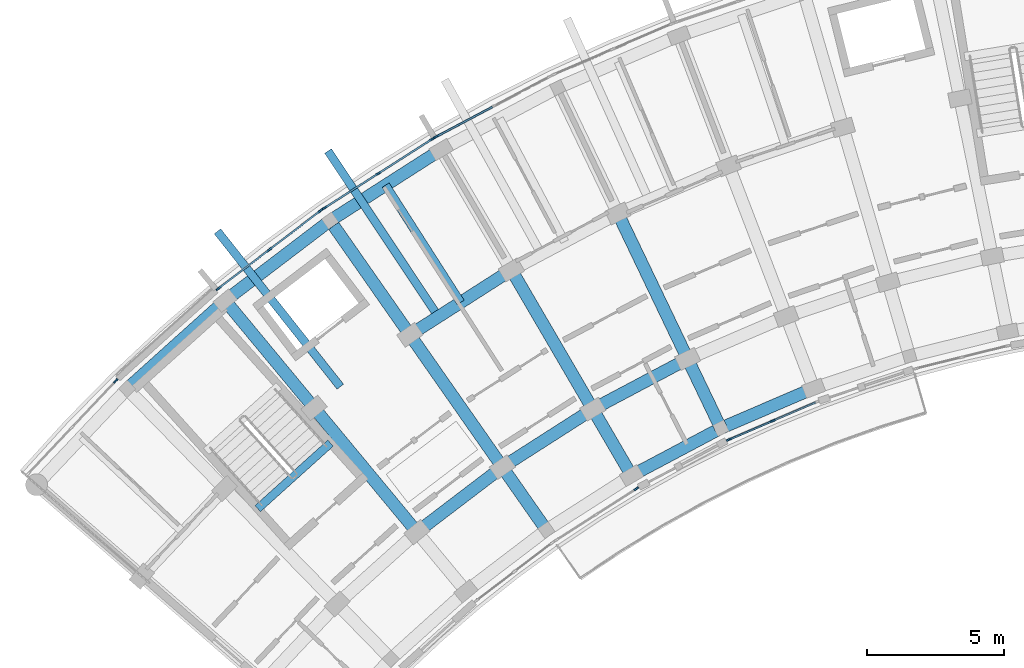
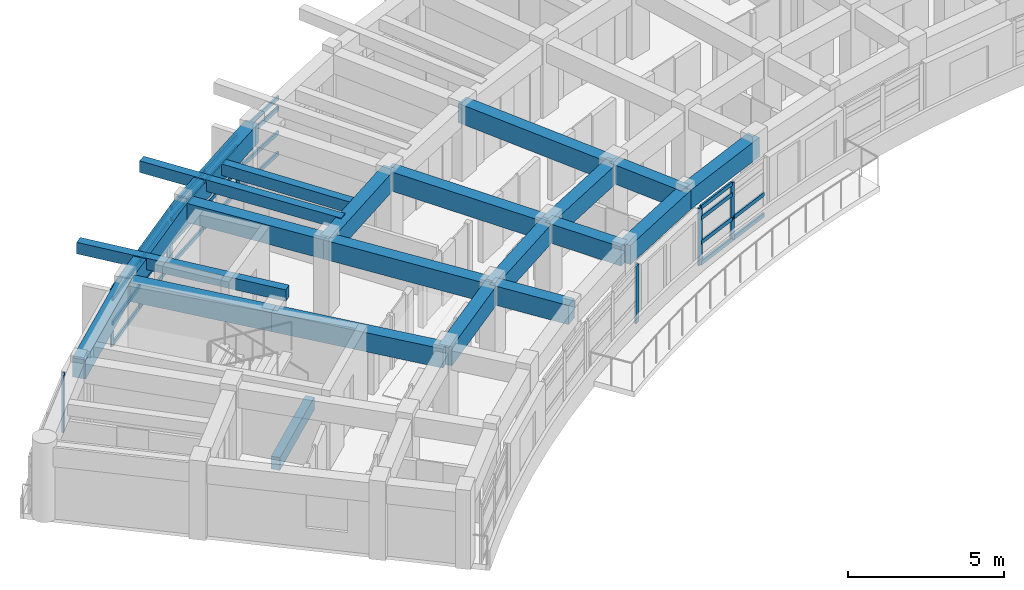
# One storey, part 4 of 56: 37 members, 22 beams, 6 elements without a shape of their own.
"""IFC4 building model written with IfcOpenShell, lengths in metres."""

from ifc_helpers import new_model, si_unit, direction, frame, origin, origin_2d, place, context, subcontext, project, spatial, rectangle, extrude, material, material_profile, profile_set, type_object, element, aggregate, save


model = new_model("IFC4")

# Units and contexts
model_context = context("Model", 3, precision=1e-05, world=origin(), true_north=direction((0.0, 1.0)))
body_context = subcontext(model_context, "Body", "Model", "MODEL_VIEW")
ifc_project = project(units=[si_unit("LENGTHUNIT", "METRE"), si_unit("AREAUNIT", "SQUARE_METRE"), si_unit("VOLUMEUNIT", "CUBIC_METRE"), si_unit("PLANEANGLEUNIT", "RADIAN"), si_unit("MASSUNIT", "GRAM", prefix="KILO")], contexts=[model_context])

# Site, building, storey
site_placement = place(None, origin())
site = spatial("IfcSite", under=ifc_project, at=site_placement, CompositionType="ELEMENT")
building_placement = place(site_placement, origin())
building = spatial("IfcBuilding", under=site, at=building_placement, Name="Zimvara Arc Housing Community", CompositionType="ELEMENT")
storey_placement = place(building_placement, frame((0.0, 0.0, 11.199951171875)))
storey = spatial("IfcBuildingStorey", under=building, at=storey_placement, Name="L03", CompositionType="ELEMENT", Elevation=11.199951171875)

# Beams
ifc_material_1 = material(Name="Concrete C40/50", Category="concrete")
ifc_material_profile_1 = material_profile(ifc_material_1, rectangle(XDim=0.300048828125, YDim=0.449951171875, at=origin_2d()), Name="RC 300x450")
ifc_profile_set_1 = profile_set([ifc_material_profile_1], Name="Concrete C40/50")
beam_type_1 = type_object("IfcBeamType", Name="BM-RC-300x450", PredefinedType="JOIST", material=ifc_profile_set_1)
beam_1_placement = place(storey_placement, frame((16.0224609375, 89.776123046875, 2.635009765625), z_axis=(-0.539052331508, 0.842272274206, 0.0), x_axis=(-0.842272274206, -0.539052331508, 0.0)))
element("IfcBeam", 1, at=beam_1_placement, inside=storey, type_object=beam_type_1, Name="bm:blkA:L03:joist:b3", PredefinedType="JOIST", context=body_context, shape_type="SweptSolid", body=[
    extrude(rectangle(XDim=0.300048828125, YDim=0.449951171875, at=origin_2d()), origin(), (0.0, 0.0, 1.0), 5.07568359375),
])
for number, where, z_axis, x_axis, name in (
    (2, (11.634033203125, 86.703857421875, 2.6650390625), (-0.620202196013, 0.784441990246, 0.0), (-0.784441990246, -0.620202196013, 0.0), "bm:blkA:L03:cant_out:b2"),
    (3, (15.188720703125, 89.285400390625, 2.6650390625), (-0.554114811637, 0.832440253426, 0.0), (-0.832440253426, -0.554114811637, 0.0), "bm:blkA:L03:cant_out:b3"),
):
    element("IfcBeam", number, at=place(storey_placement, frame(where, z_axis=z_axis, x_axis=x_axis)), inside=storey, type_object=beam_type_1, Name=name, PredefinedType="JOIST", context=body_context, shape_type="SweptSolid", body=[
        extrude(rectangle(XDim=0.300048828125, YDim=0.449951171875, at=origin_2d()), origin(), (0.0, 0.0, 1.0), 7.219970703125),
    ])
ifc_material_2 = material(Name="Concrete C40/50", Category="concrete")
ifc_material_profile_2 = material_profile(ifc_material_2, rectangle(XDim=0.300048828125, YDim=0.5, at=origin_2d()), Name="RC 300x500")
ifc_profile_set_2 = profile_set([ifc_material_profile_2], Name="Concrete C40/50")
beam_type_2 = type_object("IfcBeamType", Name="BM-RC-300x500", PredefinedType="BEAM", material=ifc_profile_set_2)
beam_2_placement = place(storey_placement, frame((11.278076171875, 84.64697265625, -0.25), z_axis=(-0.743362151162, -0.668889162881, 0.0), x_axis=(0.668889162881, -0.743362151162, 0.0)))
element("IfcBeam", 4, at=beam_2_placement, inside=storey, type_object=beam_type_2, Name="bm:stair_trim:ST-A1:L03:near", PredefinedType="BEAM", context=body_context, shape_type="SweptSolid", body=[
    extrude(rectangle(XDim=0.300048828125, YDim=0.5, at=origin_2d()), origin(), (0.0, 0.0, 1.0), 3.570068359375),
])
ifc_material_3 = material(Name="Concrete C40/50", Category="concrete")
ifc_material_profile_3 = material_profile(ifc_material_3, rectangle(XDim=0.449951171875, YDim=0.75, at=origin_2d()), Name="RC 450x750")
ifc_profile_set_3 = profile_set([ifc_material_profile_3], Name="Concrete C40/50")
beam_type_3 = type_object("IfcBeamType", Name="BM-RC-450x750", PredefinedType="BEAM", material=ifc_profile_set_3)
beam_3_placement = place(storey_placement, frame((22.249267578125, 83.46435546875, 2.485107421875), z_axis=(0.883449220086, 0.468526920815, 0.0), x_axis=(-0.468526920815, 0.883449220086, 0.0)))
element("IfcBeam", 5, at=beam_3_placement, inside=storey, type_object=beam_type_3, Name="bm:blkA:L03:chord:r0:b4", PredefinedType="BEAM", context=body_context, shape_type="SweptSolid", body=[
    extrude(rectangle(XDim=0.449951171875, YDim=0.75, at=origin_2d()), origin(), (0.0, 0.0, 1.0), 3.6845703125),
])
beam_4_placement = place(storey_placement, frame((25.50439453125, 85.190673828125, 2.485107421875), z_axis=(0.918705736243, 0.394942742932, 0.0), x_axis=(-0.394942742932, 0.918705736243, 0.0)))
element("IfcBeam", 6, at=beam_4_placement, inside=storey, type_object=beam_type_3, Name="bm:blkA:L03:chord:r0:b5", PredefinedType="BEAM", context=body_context, shape_type="SweptSolid", body=[
    extrude(rectangle(XDim=0.449951171875, YDim=0.75, at=origin_2d()), origin(), (0.0, 0.0, 1.0), 3.684326171875),
])
beam_5_placement = place(storey_placement, frame((14.428955078125, 81.401611328125, 2.485107421875), z_axis=(0.795470387579, 0.605992460749, 0.0), x_axis=(-0.605992460749, 0.795470387579, 0.0)))
element("IfcBeam", 7, at=beam_5_placement, inside=storey, type_object=beam_type_3, Name="bm:blkA:L03:chord:r1:b2", PredefinedType="BEAM", context=body_context, shape_type="SweptSolid", body=[
    extrude(rectangle(XDim=0.449951171875, YDim=0.75, at=origin_2d()), origin(), (0.0, 0.0, 1.0), 3.9130859375),
])
beam_6_placement = place(storey_placement, frame((17.541748046875, 83.77294921875, 2.485107421875), z_axis=(0.842253269878, 0.539082024724, 0.0), x_axis=(-0.539082024724, 0.842253269878, 0.0)))
element("IfcBeam", 8, at=beam_6_placement, inside=storey, type_object=beam_type_3, Name="bm:blkA:L03:chord:r1:b3", PredefinedType="BEAM", context=body_context, shape_type="SweptSolid", body=[
    extrude(rectangle(XDim=0.449951171875, YDim=0.75, at=origin_2d()), origin(), (0.0, 0.0, 1.0), 3.912841796875),
])
beam_7_placement = place(storey_placement, frame((20.83740234375, 85.88232421875, 2.485107421875), z_axis=(0.883438625159, 0.468546897948, 0.0), x_axis=(-0.468546897948, 0.883438625159, 0.0)))
element("IfcBeam", 9, at=beam_7_placement, inside=storey, type_object=beam_type_3, Name="bm:blkA:L03:chord:r1:b4", PredefinedType="BEAM", context=body_context, shape_type="SweptSolid", body=[
    extrude(rectangle(XDim=0.449951171875, YDim=0.75, at=origin_2d()), origin(), (0.0, 0.0, 1.0), 3.9130859375),
])
beam_8_placement = place(storey_placement, frame((14.17236328125, 88.591796875, 2.485107421875), z_axis=(0.842242131326, 0.539099427025, 0.0), x_axis=(-0.539099427025, 0.842242131326, 0.0)))
element("IfcBeam", 10, at=beam_8_placement, inside=storey, type_object=beam_type_3, Name="bm:blkA:L03:chord:r2:b3", PredefinedType="BEAM", context=body_context, shape_type="SweptSolid", body=[
    extrude(rectangle(XDim=0.449951171875, YDim=0.75, at=origin_2d()), origin(), (0.0, 0.0, 1.0), 4.393310546875),
])
beam_9_placement = place(storey_placement, frame((3.862548828125, 86.625732421875, 2.485107421875), z_axis=(0.743395133402, 0.668852506637, 0.0), x_axis=(-0.668852506637, 0.743395133402, 0.0)))
element("IfcBeam", 11, at=beam_9_placement, inside=storey, type_object=beam_type_3, Name="bm:blkA:L03:chord:r3:b1", PredefinedType="BEAM", context=body_context, shape_type="SweptSolid", body=[
    extrude(rectangle(XDim=0.449951171875, YDim=0.75, at=origin_2d()), origin(), (0.0, 0.0, 1.0), 4.807861328125),
])
beam_10_placement = place(storey_placement, frame((7.436767578125, 89.841552734375, 2.485107421875), z_axis=(0.795480673672, 0.605978958228, 0.0), x_axis=(-0.605978958228, 0.795480673672, 0.0)))
element("IfcBeam", 12, at=beam_10_placement, inside=storey, type_object=beam_type_3, Name="bm:blkA:L03:chord:r3:b2", PredefinedType="BEAM", context=body_context, shape_type="SweptSolid", body=[
    extrude(rectangle(XDim=0.449951171875, YDim=0.75, at=origin_2d()), origin(), (0.0, 0.0, 1.0), 4.80810546875),
])
beam_11_placement = place(storey_placement, frame((11.261474609375, 92.755126953125, 2.485107421875), z_axis=(0.842255724028, 0.539078190379, 0.0), x_axis=(-0.539078190379, 0.842255724028, 0.0)))
element("IfcBeam", 13, at=beam_11_placement, inside=storey, type_object=beam_type_3, Name="bm:blkA:L03:chord:r3:b3", PredefinedType="BEAM", context=body_context, shape_type="SweptSolid", body=[
    extrude(rectangle(XDim=0.449951171875, YDim=0.75, at=origin_2d()), origin(), (0.0, 0.0, 1.0), 4.808349609375),
])
beam_12_placement = place(storey_placement, frame((14.428955078125, 81.401611328125, 2.485107421875), z_axis=(-0.637955964415, 0.770072845559, 0.0), x_axis=(-0.770072845559, -0.637955964415, 0.0)))
element("IfcBeam", 14, at=beam_12_placement, inside=storey, type_object=beam_type_3, Name="bm:blkA:L03:rad:b2:r12", PredefinedType="BEAM", context=body_context, shape_type="SweptSolid", body=[
    extrude(rectangle(XDim=0.449951171875, YDim=0.75, at=origin_2d()), origin(), (0.0, 0.0, 1.0), 5.880126953125),
])
beam_13_placement = place(storey_placement, frame((10.677734375, 85.9296875, 2.485107421875), z_axis=(-0.637983669165, 0.77004989311, 0.0), x_axis=(-0.77004989311, -0.637983669165, 0.0)))
element("IfcBeam", 15, at=beam_13_placement, inside=storey, type_object=beam_type_3, Name="bm:blkA:L03:rad:b2:r23", PredefinedType="BEAM", context=body_context, shape_type="SweptSolid", body=[
    extrude(rectangle(XDim=0.449951171875, YDim=0.75, at=origin_2d()), origin(), (0.0, 0.0, 1.0), 5.080078125),
])
beam_14_placement = place(storey_placement, frame((19.14599609375, 81.478271484375, 2.485107421875), z_axis=(-0.57297651105, 0.819571789281, 0.0), x_axis=(-0.819571789281, -0.57297651105, 0.0)))
element("IfcBeam", 16, at=beam_14_placement, inside=storey, type_object=beam_type_3, Name="bm:blkA:L03:rad:b3:r01", PredefinedType="BEAM", context=body_context, shape_type="SweptSolid", body=[
    extrude(rectangle(XDim=0.449951171875, YDim=0.75, at=origin_2d()), origin(), (0.0, 0.0, 1.0), 2.7998046875),
])
beam_15_placement = place(storey_placement, frame((17.541748046875, 83.77294921875, 2.485107421875), z_axis=(-0.573027549978, 0.819536104736, 0.0), x_axis=(-0.819536104736, -0.573027549978, 0.0)))
element("IfcBeam", 17, at=beam_15_placement, inside=storey, type_object=beam_type_3, Name="bm:blkA:L03:rad:b3:r12", PredefinedType="BEAM", context=body_context, shape_type="SweptSolid", body=[
    extrude(rectangle(XDim=0.449951171875, YDim=0.75, at=origin_2d()), origin(), (0.0, 0.0, 1.0), 5.8798828125),
])
beam_16_placement = place(storey_placement, frame((14.17236328125, 88.591796875, 2.485107421875), z_axis=(-0.573007469479, 0.819550144848, 0.0), x_axis=(-0.819550144848, -0.573007469479, 0.0)))
element("IfcBeam", 18, at=beam_16_placement, inside=storey, type_object=beam_type_3, Name="bm:blkA:L03:rad:b3:r23", PredefinedType="BEAM", context=body_context, shape_type="SweptSolid", body=[
    extrude(rectangle(XDim=0.449951171875, YDim=0.75, at=origin_2d()), origin(), (0.0, 0.0, 1.0), 5.080078125),
])
beam_17_placement = place(storey_placement, frame((22.249267578125, 83.46435546875, 2.485107421875), z_axis=(-0.504239631668, 0.86356377521, 0.0), x_axis=(-0.86356377521, -0.504239631668, 0.0)))
element("IfcBeam", 19, at=beam_17_placement, inside=storey, type_object=beam_type_3, Name="bm:blkA:L03:rad:b4:r01", PredefinedType="BEAM", context=body_context, shape_type="SweptSolid", body=[
    extrude(rectangle(XDim=0.449951171875, YDim=0.75, at=origin_2d()), origin(), (0.0, 0.0, 1.0), 2.800048828125),
])
beam_18_placement = place(storey_placement, frame((20.83740234375, 85.88232421875, 2.485107421875), z_axis=(-0.504219494781, 0.863575532934, 0.0), x_axis=(-0.863575532934, -0.504219494781, 0.0)))
element("IfcBeam", 20, at=beam_18_placement, inside=storey, type_object=beam_type_3, Name="bm:blkA:L03:rad:b4:r12", PredefinedType="BEAM", context=body_context, shape_type="SweptSolid", body=[
    extrude(rectangle(XDim=0.449951171875, YDim=0.75, at=origin_2d()), origin(), (0.0, 0.0, 1.0), 5.880126953125),
])
beam_19_placement = place(storey_placement, frame((25.50439453125, 85.190673828125, 2.485107421875), z_axis=(-0.432118703138, 0.901816736593, 0.0), x_axis=(-0.901816736593, -0.432118703138, 0.0)))
element("IfcBeam", 21, at=beam_19_placement, inside=storey, type_object=beam_type_3, Name="bm:blkA:L03:rad:b5:r01", PredefinedType="BEAM", context=body_context, shape_type="SweptSolid", body=[
    extrude(rectangle(XDim=0.449951171875, YDim=0.75, at=origin_2d()), origin(), (0.0, 0.0, 1.0), 2.800048828125),
])
beam_20_placement = place(storey_placement, frame((24.29443359375, 87.7158203125, 2.485107421875), z_axis=(-0.432069527705, 0.901840298073, 0.0), x_axis=(-0.901840298073, -0.432069527705, 0.0)))
element("IfcBeam", 22, at=beam_20_placement, inside=storey, type_object=beam_type_3, Name="bm:blkA:L03:rad:b5:r12", PredefinedType="BEAM", context=body_context, shape_type="SweptSolid", body=[
    extrude(rectangle(XDim=0.449951171875, YDim=0.75, at=origin_2d()), origin(), (0.0, 0.0, 1.0), 5.8798828125),
])

# Curtain wall, member
ifc_material_4 = material(Name="Anodised Aluminium AW-6063", Category="aluminium")
curtain_wall_type_1 = type_object("IfcCurtainWallType", Name="CW-SYS-04", PredefinedType="USERDEFINED", material=ifc_material_4)
curtain_wall_1_placement = place(storey_placement, origin())
curtain_wall_1 = element("IfcCurtainWall", 23, at=curtain_wall_1_placement, inside=storey, type_object=curtain_wall_type_1, Name="cw:blkA:L03:in:b3", ObjectType="CURTAIN WALL", PredefinedType="USERDEFINED")
ifc_material_5 = material(Name="Anodised Aluminium AW-6063", Category="aluminium")
ifc_material_profile_4 = material_profile(ifc_material_5, rectangle(XDim=0.06494140625, YDim=0.179931640625, at=origin_2d()), Name="ALU 65x180")
ifc_profile_set_4 = profile_set([ifc_material_profile_4], Name="Anodised Aluminium AW-6063")
member_type_1 = type_object("IfcMemberType", Name="CWM-65x150", PredefinedType="MULLION", material=ifc_profile_set_4)
member_1_placement = place(storey_placement, frame((22.423583984375, 82.982666015625, 0.0), z_axis=(0.0, 0.0, 1.0), x_axis=(-0.539064085203, 0.842264751752, 0.0)))
member_1 = element("IfcMember", 24, at=member_1_placement, type_object=member_type_1, Name="CW04 mullion 3", PredefinedType="MULLION", context=body_context, shape_type="SweptSolid", body=[
    extrude(rectangle(XDim=0.06494140625, YDim=0.179931640625, at=origin_2d()), origin(), (0.0, 0.0, 1.0), 2.25),
])
aggregate(curtain_wall_1, [member_1])

ifc_material_6 = material(Name="Anodised Aluminium AW-6063", Category="aluminium")
curtain_wall_type_2 = type_object("IfcCurtainWallType", Name="CW-SYS-07", PredefinedType="USERDEFINED", material=ifc_material_6)
curtain_wall_2_placement = place(storey_placement, origin())
curtain_wall_2 = element("IfcCurtainWall", 25, at=curtain_wall_2_placement, inside=storey, type_object=curtain_wall_type_2, Name="cw:blkA:L03:out:b0", ObjectType="CURTAIN WALL", PredefinedType="USERDEFINED")
ifc_material_7 = material(Name="Anodised Aluminium AW-6063", Category="aluminium")
ifc_material_profile_5 = material_profile(ifc_material_7, rectangle(XDim=0.06494140625, YDim=0.195068359375, at=origin_2d()), Name="ALU 65x195")
ifc_profile_set_5 = profile_set([ifc_material_profile_5], Name="Anodised Aluminium AW-6063")
member_type_2 = type_object("IfcMemberType", Name="CWM-65x180", PredefinedType="MULLION", material=ifc_profile_set_5)
member_2_placement = place(storey_placement, frame((3.44970703125, 86.916015625, 0.0), z_axis=(0.0, 0.0, 1.0), x_axis=(-0.727293647725, 0.686326416495, 0.0)))
member_2 = element("IfcMember", 26, at=member_2_placement, type_object=member_type_2, Name="CW07 mullion 3", PredefinedType="MULLION", context=body_context, shape_type="SweptSolid", body=[
    extrude(rectangle(XDim=0.06494140625, YDim=0.195068359375, at=origin_2d()), origin(), (0.0, 0.0, 1.0), 2.25),
])
aggregate(curtain_wall_2, [member_2])

# Curtain wall, members
ifc_material_8 = material(Name="Anodised Aluminium AW-6063", Category="aluminium")
curtain_wall_type_3 = type_object("IfcCurtainWallType", Name="CW-SYS-01", PredefinedType="USERDEFINED", material=ifc_material_8)
curtain_wall_3_placement = place(storey_placement, origin())
curtain_wall_3 = element("IfcCurtainWall", 27, at=curtain_wall_3_placement, inside=storey, type_object=curtain_wall_type_3, Name="cw:blkA:L03:out:b2", ObjectType="CURTAIN WALL", PredefinedType="USERDEFINED")
member_3_placement = place(storey_placement, frame((7.19140625, 90.28271484375, 0.0), z_axis=(0.0, 0.0, 1.0), x_axis=(-0.60598771987, 0.795473999177, 0.0)))
member_3 = element("IfcMember", 28, at=member_3_placement, type_object=member_type_2, Name="CW01 mullion 1", PredefinedType="MULLION", context=body_context, shape_type="SweptSolid", body=[
    extrude(rectangle(XDim=0.06494140625, YDim=0.195068359375, at=origin_2d()), origin(), (0.0, 0.0, 1.0), 2.25),
])
member_4_placement = place(storey_placement, frame((9.04638671875, 91.69580078125, 0.0), z_axis=(0.0, 0.0, 1.0), x_axis=(-0.60598771987, 0.795473999177, 0.0)))
member_4 = element("IfcMember", 29, at=member_4_placement, type_object=member_type_2, Name="CW01 mullion 2", PredefinedType="MULLION", context=body_context, shape_type="SweptSolid", body=[
    extrude(rectangle(XDim=0.06494140625, YDim=0.195068359375, at=origin_2d()), origin(), (0.0, 0.0, 1.0), 2.25),
])
member_5_placement = place(storey_placement, frame((10.9013671875, 93.10888671875, 0.0), z_axis=(0.0, 0.0, 1.0), x_axis=(-0.60598771987, 0.795473999177, 0.0)))
member_5 = element("IfcMember", 30, at=member_5_placement, type_object=member_type_2, Name="CW01 mullion 3", PredefinedType="MULLION", context=body_context, shape_type="SweptSolid", body=[
    extrude(rectangle(XDim=0.06494140625, YDim=0.195068359375, at=origin_2d()), origin(), (0.0, 0.0, 1.0), 2.25),
])

ifc_material_9 = material(Name="Anodised Aluminium AW-6063", Category="aluminium")
curtain_wall_type_4 = type_object("IfcCurtainWallType", Name="CW-SYS-03", PredefinedType="USERDEFINED", material=ifc_material_9)
curtain_wall_4_placement = place(storey_placement, origin())
curtain_wall_4 = element("IfcCurtainWall", 31, at=curtain_wall_4_placement, inside=storey, type_object=curtain_wall_type_4, Name="cw:blkA:L03:out:b3", ObjectType="CURTAIN WALL", PredefinedType="USERDEFINED")
member_6_placement = place(storey_placement, frame((11.052978515625, 93.21484375, 0.0), z_axis=(0.0, 0.0, 1.0), x_axis=(-0.539064617721, 0.842264410931, 0.0)))
member_6 = element("IfcMember", 32, at=member_6_placement, type_object=member_type_2, Name="CW03 mullion 1", PredefinedType="MULLION", context=body_context, shape_type="SweptSolid", body=[
    extrude(rectangle(XDim=0.06494140625, YDim=0.195068359375, at=origin_2d()), origin(), (0.0, 0.0, 1.0), 2.25),
])
member_7_placement = place(storey_placement, frame((13.01708984375, 94.471923828125, 0.0), z_axis=(0.0, 0.0, 1.0), x_axis=(-0.539064617721, 0.842264410931, 0.0)))
member_7 = element("IfcMember", 33, at=member_7_placement, type_object=member_type_2, Name="CW03 mullion 2", PredefinedType="MULLION", context=body_context, shape_type="SweptSolid", body=[
    extrude(rectangle(XDim=0.06494140625, YDim=0.195068359375, at=origin_2d()), origin(), (0.0, 0.0, 1.0), 2.25),
])
member_8_placement = place(storey_placement, frame((14.981201171875, 95.72900390625, 0.0), z_axis=(0.0, 0.0, 1.0), x_axis=(-0.539064617721, 0.842264410931, 0.0)))
member_8 = element("IfcMember", 34, at=member_8_placement, type_object=member_type_2, Name="CW03 mullion 3", PredefinedType="MULLION", context=body_context, shape_type="SweptSolid", body=[
    extrude(rectangle(XDim=0.06494140625, YDim=0.195068359375, at=origin_2d()), origin(), (0.0, 0.0, 1.0), 2.25),
])

# Curtain wall, member
ifc_material_10 = material(Name="Anodised Aluminium AW-6063", Category="aluminium")
curtain_wall_type_5 = type_object("IfcCurtainWallType", Name="CW-SYS-05", PredefinedType="USERDEFINED", material=ifc_material_10)
curtain_wall_5_placement = place(storey_placement, origin())
curtain_wall_5 = element("IfcCurtainWall", 35, at=curtain_wall_5_placement, inside=storey, type_object=curtain_wall_type_5, Name="cw:blkA:L03:out:b4", ObjectType="CURTAIN WALL", PredefinedType="USERDEFINED")
member_9_placement = place(storey_placement, frame((15.140869140625, 95.822265625, 0.0), z_axis=(0.0, 0.0, 1.0), x_axis=(-0.468546917761, 0.883438614651, 0.0)))
member_9 = element("IfcMember", 36, at=member_9_placement, type_object=member_type_2, Name="CW05 mullion 1", PredefinedType="MULLION", context=body_context, shape_type="SweptSolid", body=[
    extrude(rectangle(XDim=0.06494140625, YDim=0.195068359375, at=origin_2d()), origin(), (0.0, 0.0, 1.0), 2.25),
])

# Curtain wall, members
curtain_wall_6_placement = place(storey_placement, origin())
curtain_wall_6 = element("IfcCurtainWall", 37, at=curtain_wall_6_placement, inside=storey, type_object=curtain_wall_type_2, Name="cw:blkA:L03:in:b5", ObjectType="CURTAIN WALL", PredefinedType="USERDEFINED")
member_10_placement = place(storey_placement, frame((25.805419921875, 84.7763671875, 0.0), z_axis=(0.0, 0.0, 1.0), x_axis=(-0.394904493375, 0.918722178415, 0.0)))
member_10 = element("IfcMember", 38, at=member_10_placement, type_object=member_type_2, Name="CW07 mullion 1", PredefinedType="MULLION", context=body_context, shape_type="SweptSolid", body=[
    extrude(rectangle(XDim=0.06494140625, YDim=0.195068359375, at=origin_2d()), origin(), (0.0, 0.0, 1.0), 2.25),
])
member_11_placement = place(storey_placement, frame((27.39404296875, 85.459228515625, 0.0), z_axis=(0.0, 0.0, 1.0), x_axis=(-0.394904493375, 0.918722178415, 0.0)))
member_11 = element("IfcMember", 39, at=member_11_placement, type_object=member_type_2, Name="CW07 mullion 2", PredefinedType="MULLION", context=body_context, shape_type="SweptSolid", body=[
    extrude(rectangle(XDim=0.06494140625, YDim=0.195068359375, at=origin_2d()), origin(), (0.0, 0.0, 1.0), 2.25),
])

# Member
ifc_material_11 = material(Name="Anodised Aluminium AW-6063", Category="aluminium")
ifc_material_profile_6 = material_profile(ifc_material_11, rectangle(XDim=0.06494140625, YDim=0.155029296875, at=origin_2d()), Name="ALU 65x155")
ifc_profile_set_6 = profile_set([ifc_material_profile_6], Name="Anodised Aluminium AW-6063")
member_type_3 = type_object("IfcMemberType", Name="CWT-65x140", PredefinedType="USERDEFINED", material=ifc_profile_set_6)
member_12_placement = place(storey_placement, frame((7.21728515625, 90.302490234375, 0.032470703125), z_axis=(0.795505886513, 0.605945859399, 0.0), x_axis=(-0.605945859399, 0.795505886513, 0.0)))
member_12 = element("IfcMember", 40, at=member_12_placement, type_object=member_type_3, Name="CW01 transom 1.1", ObjectType="TRANSOM", PredefinedType="USERDEFINED", context=body_context, shape_type="SweptSolid", body=[
    extrude(rectangle(XDim=0.06494140625, YDim=0.155029296875, at=origin_2d()), origin(), (0.0, 0.0, 1.0), 2.266845703125),
])

member_13_placement = place(storey_placement, frame((7.21728515625, 90.302490234375, 0.85009765625), z_axis=(0.795505886513, 0.605945859399, 0.0), x_axis=(-0.605945859399, 0.795505886513, 0.0)))
member_13 = element("IfcMember", 41, at=member_13_placement, type_object=member_type_3, Name="CW01 transom 1.2", ObjectType="TRANSOM", PredefinedType="USERDEFINED", context=body_context, shape_type="SweptSolid", body=[
    extrude(rectangle(XDim=0.06494140625, YDim=0.155029296875, at=origin_2d()), origin(), (0.0, 0.0, 1.0), 2.266845703125),
])

member_14_placement = place(storey_placement, frame((7.21728515625, 90.302490234375, 1.800048828125), z_axis=(0.795505886513, 0.605945859399, 0.0), x_axis=(-0.605945859399, 0.795505886513, 0.0)))
member_14 = element("IfcMember", 42, at=member_14_placement, type_object=member_type_3, Name="CW01 transom 1.3", ObjectType="TRANSOM", PredefinedType="USERDEFINED", context=body_context, shape_type="SweptSolid", body=[
    extrude(rectangle(XDim=0.06494140625, YDim=0.155029296875, at=origin_2d()), origin(), (0.0, 0.0, 1.0), 2.266845703125),
])

member_15_placement = place(storey_placement, frame((7.21728515625, 90.302490234375, 2.217529296875), z_axis=(0.795505886513, 0.605945859399, 0.0), x_axis=(-0.605945859399, 0.795505886513, 0.0)))
member_15 = element("IfcMember", 43, at=member_15_placement, type_object=member_type_3, Name="CW01 transom 1.4", ObjectType="TRANSOM", PredefinedType="USERDEFINED", context=body_context, shape_type="SweptSolid", body=[
    extrude(rectangle(XDim=0.06494140625, YDim=0.155029296875, at=origin_2d()), origin(), (0.0, 0.0, 1.0), 2.266845703125),
])

member_16_placement = place(storey_placement, frame((9.072265625, 91.715576171875, 0.032470703125), z_axis=(0.795453969776, 0.606014011363, 0.0), x_axis=(-0.606014011363, 0.795453969776, 0.0)))
member_16 = element("IfcMember", 44, at=member_16_placement, type_object=member_type_3, Name="CW01 transom 2.1", ObjectType="TRANSOM", PredefinedType="USERDEFINED", context=body_context, shape_type="SweptSolid", body=[
    extrude(rectangle(XDim=0.06494140625, YDim=0.155029296875, at=origin_2d()), origin(), (0.0, 0.0, 1.0), 2.266845703125),
])

member_17_placement = place(storey_placement, frame((9.072265625, 91.715576171875, 0.85009765625), z_axis=(0.795453969776, 0.606014011363, 0.0), x_axis=(-0.606014011363, 0.795453969776, 0.0)))
member_17 = element("IfcMember", 45, at=member_17_placement, type_object=member_type_3, Name="CW01 transom 2.2", ObjectType="TRANSOM", PredefinedType="USERDEFINED", context=body_context, shape_type="SweptSolid", body=[
    extrude(rectangle(XDim=0.06494140625, YDim=0.155029296875, at=origin_2d()), origin(), (0.0, 0.0, 1.0), 2.266845703125),
])

member_18_placement = place(storey_placement, frame((9.072265625, 91.715576171875, 1.800048828125), z_axis=(0.795453969776, 0.606014011363, 0.0), x_axis=(-0.606014011363, 0.795453969776, 0.0)))
member_18 = element("IfcMember", 46, at=member_18_placement, type_object=member_type_3, Name="CW01 transom 2.3", ObjectType="TRANSOM", PredefinedType="USERDEFINED", context=body_context, shape_type="SweptSolid", body=[
    extrude(rectangle(XDim=0.06494140625, YDim=0.155029296875, at=origin_2d()), origin(), (0.0, 0.0, 1.0), 2.266845703125),
])

member_19_placement = place(storey_placement, frame((9.072265625, 91.715576171875, 2.217529296875), z_axis=(0.795453969776, 0.606014011363, 0.0), x_axis=(-0.606014011363, 0.795453969776, 0.0)))
member_19 = element("IfcMember", 47, at=member_19_placement, type_object=member_type_3, Name="CW01 transom 2.4", ObjectType="TRANSOM", PredefinedType="USERDEFINED", context=body_context, shape_type="SweptSolid", body=[
    extrude(rectangle(XDim=0.06494140625, YDim=0.155029296875, at=origin_2d()), origin(), (0.0, 0.0, 1.0), 2.266845703125),
])

aggregate(curtain_wall_3, [member_3, member_4, member_5, member_12, member_13, member_14, member_15, member_16, member_17, member_18, member_19])

member_20_placement = place(storey_placement, frame((11.080322265625, 93.232421875, 0.032470703125), z_axis=(0.842292914806, 0.539020079095, 0.0), x_axis=(-0.539020079095, 0.842292914806, 0.0)))
member_20 = element("IfcMember", 48, at=member_20_placement, type_object=member_type_3, Name="CW03 transom 1.1", ObjectType="TRANSOM", PredefinedType="USERDEFINED", context=body_context, shape_type="SweptSolid", body=[
    extrude(rectangle(XDim=0.06494140625, YDim=0.155029296875, at=origin_2d()), origin(), (0.0, 0.0, 1.0), 2.266845703125),
])

member_21_placement = place(storey_placement, frame((11.080322265625, 93.232421875, 0.85009765625), z_axis=(0.842292914806, 0.539020079095, 0.0), x_axis=(-0.539020079095, 0.842292914806, 0.0)))
member_21 = element("IfcMember", 49, at=member_21_placement, type_object=member_type_3, Name="CW03 transom 1.2", ObjectType="TRANSOM", PredefinedType="USERDEFINED", context=body_context, shape_type="SweptSolid", body=[
    extrude(rectangle(XDim=0.06494140625, YDim=0.155029296875, at=origin_2d()), origin(), (0.0, 0.0, 1.0), 2.266845703125),
])

member_22_placement = place(storey_placement, frame((11.080322265625, 93.232421875, 1.800048828125), z_axis=(0.842292914806, 0.539020079095, 0.0), x_axis=(-0.539020079095, 0.842292914806, 0.0)))
member_22 = element("IfcMember", 50, at=member_22_placement, type_object=member_type_3, Name="CW03 transom 1.3", ObjectType="TRANSOM", PredefinedType="USERDEFINED", context=body_context, shape_type="SweptSolid", body=[
    extrude(rectangle(XDim=0.06494140625, YDim=0.155029296875, at=origin_2d()), origin(), (0.0, 0.0, 1.0), 2.266845703125),
])

member_23_placement = place(storey_placement, frame((11.080322265625, 93.232421875, 2.217529296875), z_axis=(0.842292914806, 0.539020079095, 0.0), x_axis=(-0.539020079095, 0.842292914806, 0.0)))
member_23 = element("IfcMember", 51, at=member_23_placement, type_object=member_type_3, Name="CW03 transom 1.4", ObjectType="TRANSOM", PredefinedType="USERDEFINED", context=body_context, shape_type="SweptSolid", body=[
    extrude(rectangle(XDim=0.06494140625, YDim=0.155029296875, at=origin_2d()), origin(), (0.0, 0.0, 1.0), 2.266845703125),
])

member_24_placement = place(storey_placement, frame((13.04443359375, 94.489501953125, 0.032470703125), z_axis=(0.842292914806, 0.539020079095, 0.0), x_axis=(-0.539020079095, 0.842292914806, 0.0)))
member_24 = element("IfcMember", 52, at=member_24_placement, type_object=member_type_3, Name="CW03 transom 2.1", ObjectType="TRANSOM", PredefinedType="USERDEFINED", context=body_context, shape_type="SweptSolid", body=[
    extrude(rectangle(XDim=0.06494140625, YDim=0.155029296875, at=origin_2d()), origin(), (0.0, 0.0, 1.0), 2.266845703125),
])

member_25_placement = place(storey_placement, frame((13.04443359375, 94.489501953125, 0.85009765625), z_axis=(0.842292914806, 0.539020079095, 0.0), x_axis=(-0.539020079095, 0.842292914806, 0.0)))
member_25 = element("IfcMember", 53, at=member_25_placement, type_object=member_type_3, Name="CW03 transom 2.2", ObjectType="TRANSOM", PredefinedType="USERDEFINED", context=body_context, shape_type="SweptSolid", body=[
    extrude(rectangle(XDim=0.06494140625, YDim=0.155029296875, at=origin_2d()), origin(), (0.0, 0.0, 1.0), 2.266845703125),
])

member_26_placement = place(storey_placement, frame((13.04443359375, 94.489501953125, 1.800048828125), z_axis=(0.842292914806, 0.539020079095, 0.0), x_axis=(-0.539020079095, 0.842292914806, 0.0)))
member_26 = element("IfcMember", 54, at=member_26_placement, type_object=member_type_3, Name="CW03 transom 2.3", ObjectType="TRANSOM", PredefinedType="USERDEFINED", context=body_context, shape_type="SweptSolid", body=[
    extrude(rectangle(XDim=0.06494140625, YDim=0.155029296875, at=origin_2d()), origin(), (0.0, 0.0, 1.0), 2.266845703125),
])

member_27_placement = place(storey_placement, frame((13.04443359375, 94.489501953125, 2.217529296875), z_axis=(0.842292914806, 0.539020079095, 0.0), x_axis=(-0.539020079095, 0.842292914806, 0.0)))
member_27 = element("IfcMember", 55, at=member_27_placement, type_object=member_type_3, Name="CW03 transom 2.4", ObjectType="TRANSOM", PredefinedType="USERDEFINED", context=body_context, shape_type="SweptSolid", body=[
    extrude(rectangle(XDim=0.06494140625, YDim=0.155029296875, at=origin_2d()), origin(), (0.0, 0.0, 1.0), 2.266845703125),
])

aggregate(curtain_wall_4, [member_6, member_7, member_8, member_20, member_21, member_22, member_23, member_24, member_25, member_26, member_27])

member_28_placement = place(storey_placement, frame((15.16943359375, 95.83740234375, 0.032470703125), z_axis=(0.883420900208, 0.468580316568, 0.0), x_axis=(-0.468580316568, 0.883420900208, 0.0)))
member_28 = element("IfcMember", 56, at=member_28_placement, type_object=member_type_3, Name="CW05 transom 1.1", ObjectType="TRANSOM", PredefinedType="USERDEFINED", context=body_context, shape_type="SweptSolid", body=[
    extrude(rectangle(XDim=0.06494140625, YDim=0.155029296875, at=origin_2d()), origin(), (0.0, 0.0, 1.0), 2.266845703125),
])

member_29_placement = place(storey_placement, frame((15.16943359375, 95.83740234375, 0.85009765625), z_axis=(0.883420900208, 0.468580316568, 0.0), x_axis=(-0.468580316568, 0.883420900208, 0.0)))
member_29 = element("IfcMember", 57, at=member_29_placement, type_object=member_type_3, Name="CW05 transom 1.2", ObjectType="TRANSOM", PredefinedType="USERDEFINED", context=body_context, shape_type="SweptSolid", body=[
    extrude(rectangle(XDim=0.06494140625, YDim=0.155029296875, at=origin_2d()), origin(), (0.0, 0.0, 1.0), 2.266845703125),
])

member_30_placement = place(storey_placement, frame((15.16943359375, 95.83740234375, 1.800048828125), z_axis=(0.883420900208, 0.468580316568, 0.0), x_axis=(-0.468580316568, 0.883420900208, 0.0)))
member_30 = element("IfcMember", 58, at=member_30_placement, type_object=member_type_3, Name="CW05 transom 1.3", ObjectType="TRANSOM", PredefinedType="USERDEFINED", context=body_context, shape_type="SweptSolid", body=[
    extrude(rectangle(XDim=0.06494140625, YDim=0.155029296875, at=origin_2d()), origin(), (0.0, 0.0, 1.0), 2.266845703125),
])

member_31_placement = place(storey_placement, frame((15.16943359375, 95.83740234375, 2.217529296875), z_axis=(0.883420900208, 0.468580316568, 0.0), x_axis=(-0.468580316568, 0.883420900208, 0.0)))
member_31 = element("IfcMember", 59, at=member_31_placement, type_object=member_type_3, Name="CW05 transom 1.4", ObjectType="TRANSOM", PredefinedType="USERDEFINED", context=body_context, shape_type="SweptSolid", body=[
    extrude(rectangle(XDim=0.06494140625, YDim=0.155029296875, at=origin_2d()), origin(), (0.0, 0.0, 1.0), 2.266845703125),
])

aggregate(curtain_wall_5, [member_9, member_28, member_29, member_30, member_31])

member_32_placement = place(storey_placement, frame((25.835205078125, 84.7890625, 0.032470703125), z_axis=(0.918727202972, 0.394892803832, 0.0), x_axis=(-0.394892803832, 0.918727202972, 0.0)))
member_32 = element("IfcMember", 60, at=member_32_placement, type_object=member_type_3, Name="CW07 transom 1.1", ObjectType="TRANSOM", PredefinedType="USERDEFINED", context=body_context, shape_type="SweptSolid", body=[
    extrude(rectangle(XDim=0.06494140625, YDim=0.155029296875, at=origin_2d()), origin(), (0.0, 0.0, 1.0), 1.664306640625),
])

member_33_placement = place(storey_placement, frame((25.835205078125, 84.7890625, 0.85009765625), z_axis=(0.918727202972, 0.394892803832, 0.0), x_axis=(-0.394892803832, 0.918727202972, 0.0)))
member_33 = element("IfcMember", 61, at=member_33_placement, type_object=member_type_3, Name="CW07 transom 1.2", ObjectType="TRANSOM", PredefinedType="USERDEFINED", context=body_context, shape_type="SweptSolid", body=[
    extrude(rectangle(XDim=0.06494140625, YDim=0.155029296875, at=origin_2d()), origin(), (0.0, 0.0, 1.0), 1.664306640625),
])

member_34_placement = place(storey_placement, frame((25.835205078125, 84.7890625, 1.800048828125), z_axis=(0.918727202972, 0.394892803832, 0.0), x_axis=(-0.394892803832, 0.918727202972, 0.0)))
member_34 = element("IfcMember", 62, at=member_34_placement, type_object=member_type_3, Name="CW07 transom 1.3", ObjectType="TRANSOM", PredefinedType="USERDEFINED", context=body_context, shape_type="SweptSolid", body=[
    extrude(rectangle(XDim=0.06494140625, YDim=0.155029296875, at=origin_2d()), origin(), (0.0, 0.0, 1.0), 1.664306640625),
])

member_35_placement = place(storey_placement, frame((25.835205078125, 84.7890625, 2.217529296875), z_axis=(0.918727202972, 0.394892803832, 0.0), x_axis=(-0.394892803832, 0.918727202972, 0.0)))
member_35 = element("IfcMember", 63, at=member_35_placement, type_object=member_type_3, Name="CW07 transom 1.4", ObjectType="TRANSOM", PredefinedType="USERDEFINED", context=body_context, shape_type="SweptSolid", body=[
    extrude(rectangle(XDim=0.06494140625, YDim=0.155029296875, at=origin_2d()), origin(), (0.0, 0.0, 1.0), 1.664306640625),
])

member_36_placement = place(storey_placement, frame((27.423828125, 85.471923828125, 0.032470703125), z_axis=(0.918673978315, 0.395016609229, 0.0), x_axis=(-0.395016609229, 0.918673978315, 0.0)))
member_36 = element("IfcMember", 64, at=member_36_placement, type_object=member_type_3, Name="CW07 transom 2.1", ObjectType="TRANSOM", PredefinedType="USERDEFINED", context=body_context, shape_type="SweptSolid", body=[
    extrude(rectangle(XDim=0.06494140625, YDim=0.155029296875, at=origin_2d()), origin(), (0.0, 0.0, 1.0), 1.664306640625),
])

member_37_placement = place(storey_placement, frame((27.423828125, 85.471923828125, 0.85009765625), z_axis=(0.918673978315, 0.395016609229, 0.0), x_axis=(-0.395016609229, 0.918673978315, 0.0)))
member_37 = element("IfcMember", 65, at=member_37_placement, type_object=member_type_3, Name="CW07 transom 2.2", ObjectType="TRANSOM", PredefinedType="USERDEFINED", context=body_context, shape_type="SweptSolid", body=[
    extrude(rectangle(XDim=0.06494140625, YDim=0.155029296875, at=origin_2d()), origin(), (0.0, 0.0, 1.0), 1.664306640625),
])

aggregate(curtain_wall_6, [member_10, member_11, member_32, member_33, member_34, member_35, member_36, member_37])

save(model, "model.ifc")
